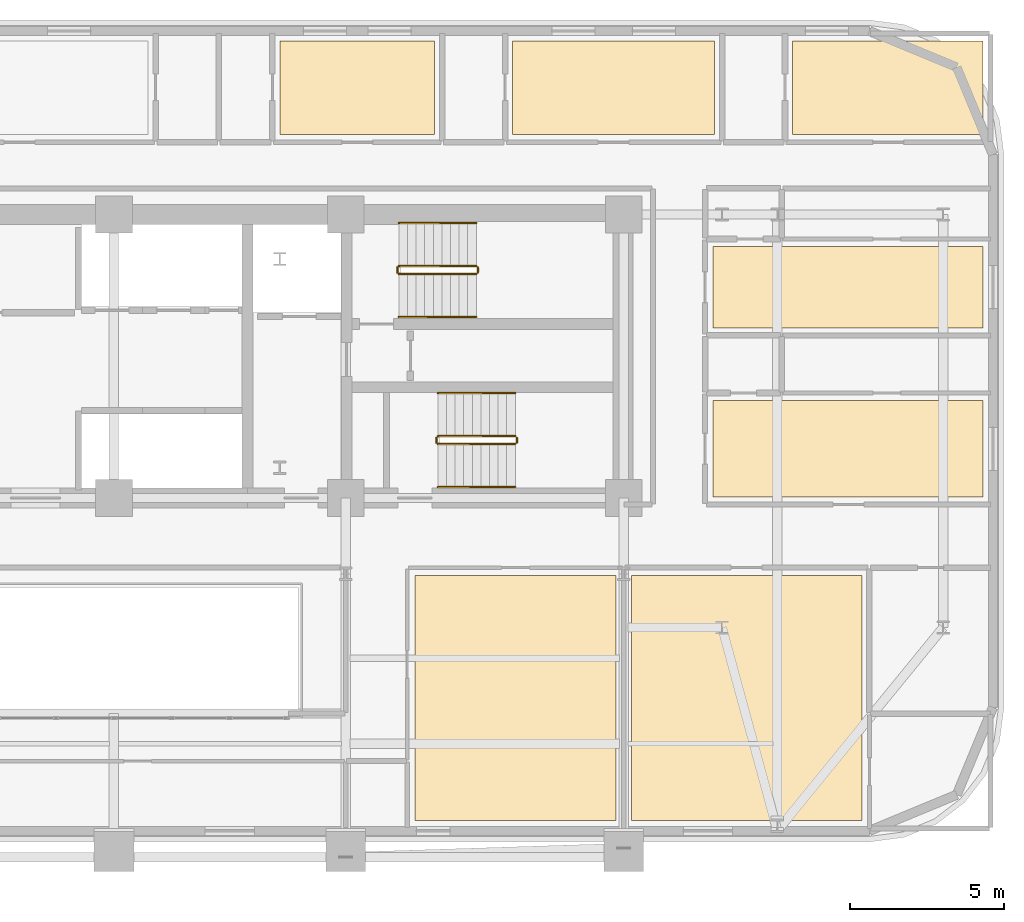
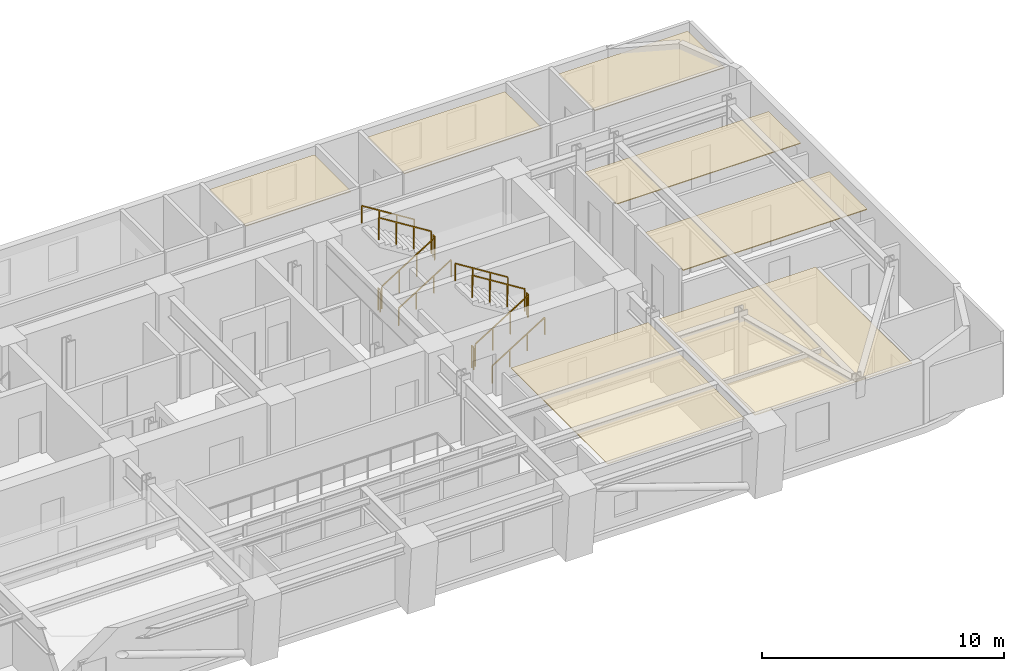
# One storey, part 14 of 14: 12 railings, 7 coverings.
"""IFC4 building model written with IfcOpenShell, lengths in metres."""

from ifc_helpers import new_model, si_unit, direction, frame, origin, origin_2d, place, context, subcontext, project, spatial, polyline, rectangle, outline, extrude, material, layer, layer_set, type_object, element, save


model = new_model("IFC4")

# Units and contexts
model_context = context("Model", 3, precision=1e-05, world=origin(), true_north=direction((0.0, 1.0)))
body_context = subcontext(model_context, "Body", "Model", "MODEL_VIEW")
ifc_project = project(units=[si_unit("LENGTHUNIT", "METRE"), si_unit("AREAUNIT", "SQUARE_METRE"), si_unit("VOLUMEUNIT", "CUBIC_METRE"), si_unit("PLANEANGLEUNIT", "RADIAN"), si_unit("MASSUNIT", "GRAM", prefix="KILO")], contexts=[model_context])

# Site, building, storey
site_placement = place(None, origin())
site = spatial("IfcSite", under=ifc_project, at=site_placement, CompositionType="ELEMENT")
building_placement = place(site_placement, origin())
building = spatial("IfcBuilding", under=site, at=building_placement, Name="Zarnavel Station Tower", CompositionType="ELEMENT")
storey_placement = place(building_placement, frame((0.0, 0.0, 108.300048828125)))
storey = spatial("IfcBuildingStorey", under=building, at=storey_placement, Name="L29", CompositionType="ELEMENT", Elevation=108.300048828125)

# Coverings
ifc_material_1 = material(Name="Perforated Gypsum and Mineral-Wool Acoustic Ceiling", Category="concrete")
ifc_layer = layer(ifc_material_1, 0.0400390625)
ifc_layer_set = layer_set([ifc_layer], Name="COV_CEIL_ACOUSTIC")
covering_type = type_object("IfcCoveringType", Name="COV_CEIL_ACOUSTIC", PredefinedType="CEILING", material=ifc_layer_set)
covering_1_placement = place(storey_placement, frame((0.0, 0.0, 2.919921875)))
element("IfcCovering", 1, at=covering_1_placement, inside=storey, type_object=covering_type, Name="L29 FNE1R Acoustic Ceiling", PredefinedType="CEILING", context=body_context, shape_type="SweptSolid", body=[
    extrude(outline(polyline([(48.300048828125, 27.85009765625), (57.090087890625, 27.85009765625), (57.090087890625, 30.986083984375), (48.300048828125, 30.986083984375), (48.300048828125, 27.85009765625)])), origin(), (0.0, 0.0, 1.0), 0.0400390625),
])
covering_2_placement = place(storey_placement, frame((0.0, 0.0, 2.919921875)))
element("IfcCovering", 2, at=covering_2_placement, inside=storey, type_object=covering_type, Name="L29 FNE2R Acoustic Ceiling", PredefinedType="CEILING", context=body_context, shape_type="SweptSolid", body=[
    extrude(outline(polyline([(48.300048828125, 33.35888671875), (57.090087890625, 33.35888671875), (57.090087890625, 36.0), (48.300048828125, 36.0), (48.300048828125, 33.35888671875)])), origin(), (0.0, 0.0, 1.0), 0.0400390625),
])
covering_3_placement = place(storey_placement, frame((0.0, 0.0, 2.919921875)))
element("IfcCovering", 3, at=covering_3_placement, inside=storey, type_object=covering_type, Name="L29 HN3R Acoustic Ceiling", PredefinedType="CEILING", context=body_context, shape_type="SweptSolid", body=[
    extrude(outline(polyline([(34.20703125, 39.64990234375), (39.235107421875, 39.64990234375), (39.235107421875, 42.68994140625), (34.20703125, 42.68994140625), (34.20703125, 39.64990234375)])), origin(), (0.0, 0.0, 1.0), 0.0400390625),
])
covering_4_placement = place(storey_placement, frame((0.0, 0.0, 2.919921875)))
element("IfcCovering", 4, at=covering_4_placement, inside=storey, type_object=covering_type, Name="L29 HN4R Acoustic Ceiling", PredefinedType="CEILING", context=body_context, shape_type="SweptSolid", body=[
    extrude(outline(polyline([(41.784912109375, 39.64990234375), (48.35009765625, 39.64990234375), (48.35009765625, 42.68994140625), (41.784912109375, 42.68994140625), (41.784912109375, 39.64990234375)])), origin(), (0.0, 0.0, 1.0), 0.0400390625),
])
covering_5_placement = place(storey_placement, frame((0.0, 0.0, 2.919921875)))
element("IfcCovering", 5, at=covering_5_placement, inside=storey, type_object=covering_type, Name="L29 HN5R Acoustic Ceiling", PredefinedType="CEILING", context=body_context, shape_type="SweptSolid", body=[
    extrude(outline(polyline([(50.89990234375, 39.64990234375), (57.090087890625, 39.64990234375), (57.090087890625, 42.68994140625), (50.89990234375, 42.68994140625), (50.89990234375, 39.64990234375)])), origin(), (0.0, 0.0, 1.0), 0.0400390625),
])
covering_6_placement = place(storey_placement, frame((0.0, 0.0, 2.919921875)))
element("IfcCovering", 6, at=covering_6_placement, inside=storey, type_object=covering_type, Name="L29 L29SCR Acoustic Ceiling", PredefinedType="CEILING", context=body_context, shape_type="SweptSolid", body=[
    extrude(outline(polyline([(38.60009765625, 17.31005859375), (45.14990234375, 17.31005859375), (45.14990234375, 25.300048828125), (38.60009765625, 25.300048828125), (38.60009765625, 17.31005859375)])), origin(), (0.0, 0.0, 1.0), 0.0400390625),
])
covering_7_placement = place(storey_placement, frame((0.0, 0.0, 2.919921875)))
element("IfcCovering", 7, at=covering_7_placement, inside=storey, type_object=covering_type, Name="L29 L29FOY Acoustic Ceiling", PredefinedType="CEILING", context=body_context, shape_type="SweptSolid", body=[
    extrude(outline(polyline([(45.64990234375, 17.31005859375), (53.14990234375, 17.31005859375), (53.14990234375, 25.300048828125), (45.64990234375, 25.300048828125), (45.64990234375, 17.31005859375)])), origin(), (0.0, 0.0, 1.0), 0.0400390625),
])

# Railings
ifc_material_2 = material(Name="Painted Steel S355J2 Balustrade", Category="steel")
railing_type_1 = type_object("IfcRailingType", Name="GR_INT_1150", PredefinedType="GUARDRAIL", material=ifc_material_2)
railing_1_placement = place(storey_placement, frame((38.080078125, 35.110107421875, 0.175048828125)))
element("IfcRailing", 8, at=railing_1_placement, inside=storey, type_object=railing_type_1, Name="L29 ST2 stair guard 1", PredefinedType="GUARDRAIL", context=body_context, shape_type="SweptSolid", body=[
    extrude(rectangle(XDim=0.048095703125, YDim=0.048095703125, at=origin_2d()), frame((0.001708984375, 0.0, 1.126953125), z_axis=(0.848007534815, 0.0, 0.529984170421), x_axis=(0.0, 1.0, 0.0)), (0.0, 0.0, 1.0), 2.9677734375),
    extrude(rectangle(XDim=0.0419921875, YDim=0.0419921875, at=origin_2d()), origin(), (0.0, 0.0, 1.0), 1.101806640625),
    extrude(rectangle(XDim=0.0419921875, YDim=0.0419921875, at=origin_2d()), frame((0.840087890625, 0.0, 0.52490234375)), (0.0, 0.0, 1.0), 1.101806640625),
    extrude(rectangle(XDim=0.0419921875, YDim=0.0419921875, at=origin_2d()), frame((1.679931640625, 0.0, 1.050048828125)), (0.0, 0.0, 1.0), 1.101806640625),
    extrude(rectangle(XDim=0.0419921875, YDim=0.0419921875, at=origin_2d()), frame((2.52001953125, 0.0, 1.574951171875)), (0.0, 0.0, 1.0), 1.101806640625),
])
railing_2_placement = place(storey_placement, frame((40.64990234375, 35.159912109375, 1.75)))
element("IfcRailing", 9, at=railing_2_placement, inside=storey, type_object=railing_type_1, Name="L29 ST2 stair guard 2", PredefinedType="GUARDRAIL", context=body_context, shape_type="SweptSolid", body=[
    extrude(rectangle(XDim=0.048095703125, YDim=0.048095703125, at=origin_2d()), frame((0.0, 0.001953125, 1.1259765625), z_axis=(0.0, 1.0, 0.0), x_axis=(-1.0, 0.0, 0.0)), (0.0, 0.0, 1.0), 0.15625),
    extrude(rectangle(XDim=0.0419921875, YDim=0.0419921875, at=origin_2d()), origin(), (0.0, 0.0, 1.0), 1.101806640625),
    extrude(rectangle(XDim=0.0419921875, YDim=0.0419921875, at=origin_2d()), frame((0.0, 0.16015625, 0.0)), (0.0, 0.0, 1.0), 1.101806640625),
])
railing_3_placement = place(storey_placement, frame((40.60009765625, 35.3701171875, 1.925048828125)))
element("IfcRailing", 10, at=railing_3_placement, inside=storey, type_object=railing_type_1, Name="L29 ST2 stair guard 3", PredefinedType="GUARDRAIL", context=body_context, shape_type="SweptSolid", body=[
    extrude(rectangle(XDim=0.048095703125, YDim=0.048095703125, at=origin_2d()), frame((-0.001708984375, 0.0, 1.126953125), z_axis=(-0.848007534815, 0.0, 0.529984170421), x_axis=(0.0, -1.0, 0.0)), (0.0, 0.0, 1.0), 2.9677734375),
    extrude(rectangle(XDim=0.0419921875, YDim=0.0419921875, at=origin_2d()), origin(), (0.0, 0.0, 1.0), 1.101806640625),
    extrude(rectangle(XDim=0.0419921875, YDim=0.0419921875, at=origin_2d()), frame((-0.840087890625, 0.0, 0.52490234375)), (0.0, 0.0, 1.0), 1.101806640625),
    extrude(rectangle(XDim=0.0419921875, YDim=0.0419921875, at=origin_2d()), frame((-1.679931640625, 0.0, 1.050048828125)), (0.0, 0.0, 1.0), 1.101806640625),
    extrude(rectangle(XDim=0.0419921875, YDim=0.0419921875, at=origin_2d()), frame((-2.52001953125, 0.0, 1.574951171875)), (0.0, 0.0, 1.0), 1.101806640625),
])
railing_4_placement = place(storey_placement, frame((38.030029296875, 35.159912109375, 0.0)))
element("IfcRailing", 11, at=railing_4_placement, inside=storey, type_object=railing_type_1, Name="L29 ST2 stair guard 4", PredefinedType="GUARDRAIL", context=body_context, shape_type="SweptSolid", body=[
    extrude(rectangle(XDim=0.048095703125, YDim=0.048095703125, at=origin_2d()), frame((0.0, 0.001953125, 1.1259765625), z_axis=(0.0, 1.0, 0.0), x_axis=(-1.0, 0.0, 0.0)), (0.0, 0.0, 1.0), 0.15625),
    extrude(rectangle(XDim=0.0419921875, YDim=0.0419921875, at=origin_2d()), origin(), (0.0, 0.0, 1.0), 1.101806640625),
    extrude(rectangle(XDim=0.0419921875, YDim=0.0419921875, at=origin_2d()), frame((0.0, 0.16015625, 0.0)), (0.0, 0.0, 1.0), 1.101806640625),
])
railing_5_placement = place(storey_placement, frame((39.35009765625, 29.570068359375, 0.175048828125)))
element("IfcRailing", 12, at=railing_5_placement, inside=storey, type_object=railing_type_1, Name="L29 ST3 stair guard 1", PredefinedType="GUARDRAIL", context=body_context, shape_type="SweptSolid", body=[
    extrude(rectangle(XDim=0.048095703125, YDim=0.048095703125, at=origin_2d()), frame((0.001708984375, 0.0, 1.126953125), z_axis=(0.848007534815, 0.0, 0.529984170421), x_axis=(0.0, 1.0, 0.0)), (0.0, 0.0, 1.0), 2.9677734375),
    extrude(rectangle(XDim=0.0419921875, YDim=0.0419921875, at=origin_2d()), origin(), (0.0, 0.0, 1.0), 1.101806640625),
    extrude(rectangle(XDim=0.0419921875, YDim=0.0419921875, at=origin_2d()), frame((0.840087890625, 0.0, 0.52490234375)), (0.0, 0.0, 1.0), 1.101806640625),
    extrude(rectangle(XDim=0.0419921875, YDim=0.0419921875, at=origin_2d()), frame((1.679931640625, 0.0, 1.050048828125)), (0.0, 0.0, 1.0), 1.101806640625),
    extrude(rectangle(XDim=0.0419921875, YDim=0.0419921875, at=origin_2d()), frame((2.52001953125, 0.0, 1.574951171875)), (0.0, 0.0, 1.0), 1.101806640625),
])
railing_6_placement = place(storey_placement, frame((41.919921875, 29.6201171875, 1.75)))
element("IfcRailing", 13, at=railing_6_placement, inside=storey, type_object=railing_type_1, Name="L29 ST3 stair guard 2", PredefinedType="GUARDRAIL", context=body_context, shape_type="SweptSolid", body=[
    extrude(rectangle(XDim=0.048095703125, YDim=0.048095703125, at=origin_2d()), frame((0.0, 0.001953125, 1.1259765625), z_axis=(0.0, 1.0, 0.0), x_axis=(-1.0, 0.0, 0.0)), (0.0, 0.0, 1.0), 0.156005859375),
    extrude(rectangle(XDim=0.0419921875, YDim=0.0419921875, at=origin_2d()), origin(), (0.0, 0.0, 1.0), 1.101806640625),
    extrude(rectangle(XDim=0.0419921875, YDim=0.0419921875, at=origin_2d()), frame((0.0, 0.159912109375, 0.0)), (0.0, 0.0, 1.0), 1.101806640625),
])
railing_7_placement = place(storey_placement, frame((41.8701171875, 29.830078125, 1.925048828125)))
element("IfcRailing", 14, at=railing_7_placement, inside=storey, type_object=railing_type_1, Name="L29 ST3 stair guard 3", PredefinedType="GUARDRAIL", context=body_context, shape_type="SweptSolid", body=[
    extrude(rectangle(XDim=0.048095703125, YDim=0.048095703125, at=origin_2d()), frame((-0.001708984375, 0.0, 1.126953125), z_axis=(-0.848007534815, 0.0, 0.529984170421), x_axis=(0.0, -1.0, 0.0)), (0.0, 0.0, 1.0), 2.9677734375),
    extrude(rectangle(XDim=0.0419921875, YDim=0.0419921875, at=origin_2d()), origin(), (0.0, 0.0, 1.0), 1.101806640625),
    extrude(rectangle(XDim=0.0419921875, YDim=0.0419921875, at=origin_2d()), frame((-0.840087890625, 0.0, 0.52490234375)), (0.0, 0.0, 1.0), 1.101806640625),
    extrude(rectangle(XDim=0.0419921875, YDim=0.0419921875, at=origin_2d()), frame((-1.679931640625, 0.0, 1.050048828125)), (0.0, 0.0, 1.0), 1.101806640625),
    extrude(rectangle(XDim=0.0419921875, YDim=0.0419921875, at=origin_2d()), frame((-2.52001953125, 0.0, 1.574951171875)), (0.0, 0.0, 1.0), 1.101806640625),
])
railing_8_placement = place(storey_placement, frame((39.300048828125, 29.6201171875, 0.0)))
element("IfcRailing", 15, at=railing_8_placement, inside=storey, type_object=railing_type_1, Name="L29 ST3 stair guard 4", PredefinedType="GUARDRAIL", context=body_context, shape_type="SweptSolid", body=[
    extrude(rectangle(XDim=0.048095703125, YDim=0.048095703125, at=origin_2d()), frame((0.0, 0.001953125, 1.1259765625), z_axis=(0.0, 1.0, 0.0), x_axis=(-1.0, 0.0, 0.0)), (0.0, 0.0, 1.0), 0.156005859375),
    extrude(rectangle(XDim=0.0419921875, YDim=0.0419921875, at=origin_2d()), origin(), (0.0, 0.0, 1.0), 1.101806640625),
    extrude(rectangle(XDim=0.0419921875, YDim=0.0419921875, at=origin_2d()), frame((0.0, 0.159912109375, 0.0)), (0.0, 0.0, 1.0), 1.101806640625),
])
ifc_material_3 = material(Name="Brushed Stainless Steel S355J2 Handrail", Category="steel")
railing_type_2 = type_object("IfcRailingType", Name="HR_STAIR_900", PredefinedType="HANDRAIL", material=ifc_material_3)
railing_9_placement = place(storey_placement, frame((38.080078125, 33.7099609375, 0.175048828125)))
element("IfcRailing", 16, at=railing_9_placement, inside=storey, type_object=railing_type_2, Name="L29 ST2 stair handrail 1", PredefinedType="HANDRAIL", context=body_context, shape_type="SweptSolid", body=[
    extrude(rectangle(XDim=0.048095703125, YDim=0.048095703125, at=origin_2d()), frame((0.001708984375, 0.0, 0.876953125), z_axis=(0.848007534815, 0.0, 0.529984170421), x_axis=(0.0, 1.0, 0.0)), (0.0, 0.0, 1.0), 2.9677734375),
    extrude(rectangle(XDim=0.0419921875, YDim=0.0419921875, at=origin_2d()), origin(), (0.0, 0.0, 1.0), 0.851806640625),
    extrude(rectangle(XDim=0.0419921875, YDim=0.0419921875, at=origin_2d()), frame((0.840087890625, 0.0, 0.52490234375)), (0.0, 0.0, 1.0), 0.851806640625),
    extrude(rectangle(XDim=0.0419921875, YDim=0.0419921875, at=origin_2d()), frame((1.679931640625, 0.0, 1.050048828125)), (0.0, 0.0, 1.0), 0.851806640625),
    extrude(rectangle(XDim=0.0419921875, YDim=0.0419921875, at=origin_2d()), frame((2.52001953125, 0.0, 1.574951171875)), (0.0, 0.0, 1.0), 0.851806640625),
])
railing_10_placement = place(storey_placement, frame((40.60009765625, 36.77001953125, 1.925048828125)))
element("IfcRailing", 17, at=railing_10_placement, inside=storey, type_object=railing_type_2, Name="L29 ST2 stair handrail 2", PredefinedType="HANDRAIL", context=body_context, shape_type="SweptSolid", body=[
    extrude(rectangle(XDim=0.048095703125, YDim=0.048095703125, at=origin_2d()), frame((-0.001708984375, 0.0, 0.876953125), z_axis=(-0.848007534815, 0.0, 0.529984170421), x_axis=(0.0, -1.0, 0.0)), (0.0, 0.0, 1.0), 2.9677734375),
    extrude(rectangle(XDim=0.0419921875, YDim=0.0419921875, at=origin_2d()), origin(), (0.0, 0.0, 1.0), 0.851806640625),
    extrude(rectangle(XDim=0.0419921875, YDim=0.0419921875, at=origin_2d()), frame((-0.840087890625, 0.0, 0.52490234375)), (0.0, 0.0, 1.0), 0.851806640625),
    extrude(rectangle(XDim=0.0419921875, YDim=0.0419921875, at=origin_2d()), frame((-1.679931640625, 0.0, 1.050048828125)), (0.0, 0.0, 1.0), 0.851806640625),
    extrude(rectangle(XDim=0.0419921875, YDim=0.0419921875, at=origin_2d()), frame((-2.52001953125, 0.0, 1.574951171875)), (0.0, 0.0, 1.0), 0.851806640625),
])
railing_11_placement = place(storey_placement, frame((39.35009765625, 28.169921875, 0.175048828125)))
element("IfcRailing", 18, at=railing_11_placement, inside=storey, type_object=railing_type_2, Name="L29 ST3 stair handrail 1", PredefinedType="HANDRAIL", context=body_context, shape_type="SweptSolid", body=[
    extrude(rectangle(XDim=0.048095703125, YDim=0.048095703125, at=origin_2d()), frame((0.001708984375, 0.0, 0.876953125), z_axis=(0.848007534815, 0.0, 0.529984170421), x_axis=(0.0, 1.0, 0.0)), (0.0, 0.0, 1.0), 2.9677734375),
    extrude(rectangle(XDim=0.0419921875, YDim=0.0419921875, at=origin_2d()), origin(), (0.0, 0.0, 1.0), 0.851806640625),
    extrude(rectangle(XDim=0.0419921875, YDim=0.0419921875, at=origin_2d()), frame((0.840087890625, 0.0, 0.52490234375)), (0.0, 0.0, 1.0), 0.851806640625),
    extrude(rectangle(XDim=0.0419921875, YDim=0.0419921875, at=origin_2d()), frame((1.679931640625, 0.0, 1.050048828125)), (0.0, 0.0, 1.0), 0.851806640625),
    extrude(rectangle(XDim=0.0419921875, YDim=0.0419921875, at=origin_2d()), frame((2.52001953125, 0.0, 1.574951171875)), (0.0, 0.0, 1.0), 0.851806640625),
])
railing_12_placement = place(storey_placement, frame((41.8701171875, 31.22998046875, 1.925048828125)))
element("IfcRailing", 19, at=railing_12_placement, inside=storey, type_object=railing_type_2, Name="L29 ST3 stair handrail 2", PredefinedType="HANDRAIL", context=body_context, shape_type="SweptSolid", body=[
    extrude(rectangle(XDim=0.048095703125, YDim=0.048095703125, at=origin_2d()), frame((-0.001708984375, 0.0, 0.876953125), z_axis=(-0.848007534815, 0.0, 0.529984170421), x_axis=(0.0, -1.0, 0.0)), (0.0, 0.0, 1.0), 2.9677734375),
    extrude(rectangle(XDim=0.0419921875, YDim=0.0419921875, at=origin_2d()), origin(), (0.0, 0.0, 1.0), 0.851806640625),
    extrude(rectangle(XDim=0.0419921875, YDim=0.0419921875, at=origin_2d()), frame((-0.840087890625, 0.0, 0.52490234375)), (0.0, 0.0, 1.0), 0.851806640625),
    extrude(rectangle(XDim=0.0419921875, YDim=0.0419921875, at=origin_2d()), frame((-1.679931640625, 0.0, 1.050048828125)), (0.0, 0.0, 1.0), 0.851806640625),
    extrude(rectangle(XDim=0.0419921875, YDim=0.0419921875, at=origin_2d()), frame((-2.52001953125, 0.0, 1.574951171875)), (0.0, 0.0, 1.0), 0.851806640625),
])

save(model, "model.ifc")
